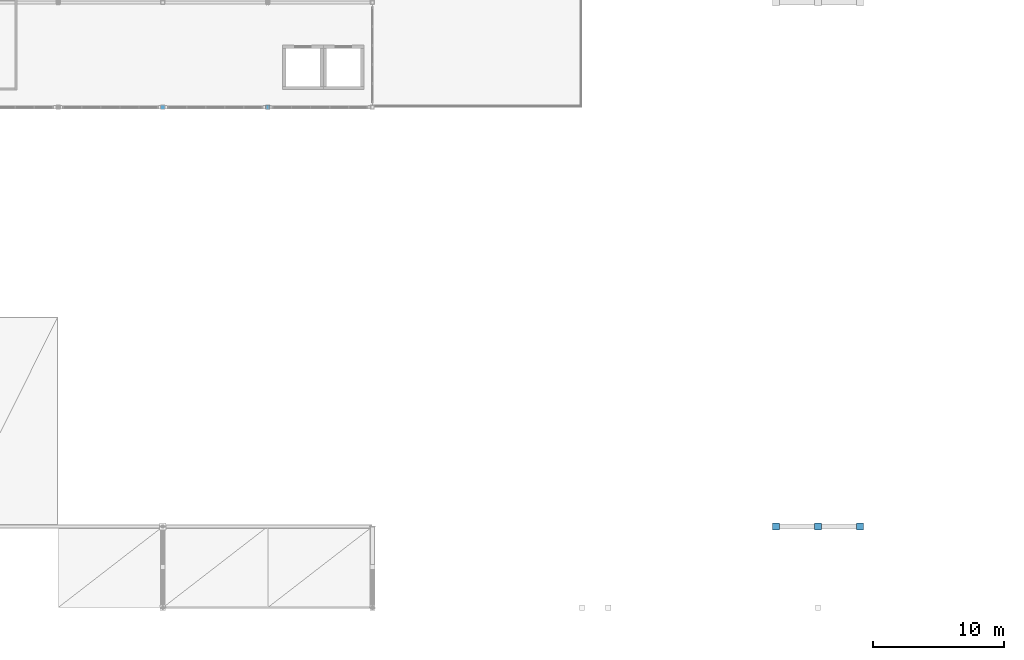
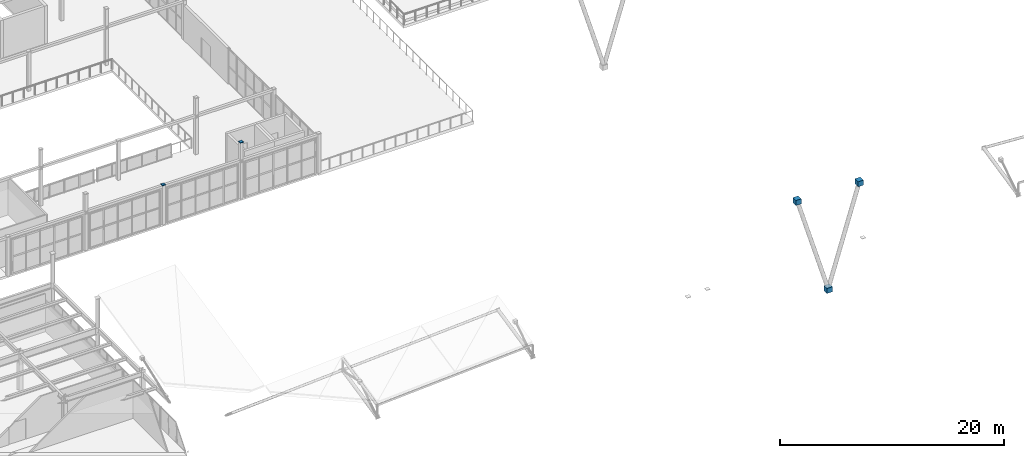
# One storey, part 63 of 83: 5 discrete accessories.
"""IFC4 building model written with IfcOpenShell, lengths in metres."""

from ifc_helpers import new_model, si_unit, direction, frame, origin, origin_2d, place, context, subcontext, project, spatial, rectangle, extrude, material, type_object, element, save


model = new_model("IFC4")

# Units and contexts
model_context = context("Model", 3, precision=1e-05, world=origin(), true_north=direction((0.0, 1.0)))
body_context = subcontext(model_context, "Body", "Model", "MODEL_VIEW")
ifc_project = project(units=[si_unit("LENGTHUNIT", "METRE"), si_unit("AREAUNIT", "SQUARE_METRE"), si_unit("VOLUMEUNIT", "CUBIC_METRE"), si_unit("PLANEANGLEUNIT", "RADIAN"), si_unit("MASSUNIT", "GRAM", prefix="KILO")], contexts=[model_context])

# Site, building, storey
site_placement = place(None, origin())
site = spatial("IfcSite", under=ifc_project, at=site_placement, CompositionType="ELEMENT")
building_placement = place(site_placement, origin())
building = spatial("IfcBuilding", under=site, at=building_placement, Name="Drelvath Fold Interchange", CompositionType="ELEMENT")
storey_placement = place(building_placement, frame((0.0, 0.0, 11.199951171875)))
storey = spatial("IfcBuildingStorey", under=building, at=storey_placement, Name="L02", CompositionType="ELEMENT", Elevation=11.199951171875)

# Discrete accessories
ifc_material = material(Name="Steel ASTM A572 Grade 50", Category="steel")
discrete_accessory_type = type_object("IfcDiscreteAccessoryType", Name="AC-CAP380", PredefinedType="BRACKET", material=ifc_material)
for number, where, z_axis, x_axis, name in (
    (1, (68.0, 59.0, 4.2900390625), (0.0, 0.0, 1.0), (1.0, 0.0, 0.0), "Welded hollow column end cap 77"),
    (2, (76.0, 59.0, 6.14013671875), (0.0, 0.0, 1.0), (1.0, 0.0, 0.0), "Welded hollow column end cap 82"),
):
    element("IfcDiscreteAccessory", number, at=place(storey_placement, frame(where, z_axis=z_axis, x_axis=x_axis)), inside=storey, type_object=discrete_accessory_type, Name=name, PredefinedType="BRACKET", context=body_context, shape_type="SweptSolid", body=[
        extrude(rectangle(XDim=0.344970703125, YDim=0.344970703125, at=origin_2d()), origin(), (0.0, 0.0, 1.0), 0.030029296875),
    ])
for number, where, z_axis, x_axis, name in (
    (3, (118.0009765625, 27.0, -5.427978515625), (0.0, 0.0, 1.0), (1.0, 0.0, 0.0), "Welded hollow member end cap 560"),
    (4, (114.799072265625, 27.0, 5.26904296875), (0.0, 0.0, 1.0), (1.0, 0.0, 0.0), "Welded hollow member end cap 561"),
    (5, (121.200927734375, 27.0, 5.0771484375), (0.0, 0.0, 1.0), (1.0, 0.0, 0.0), "Welded hollow member end cap 562"),
):
    element("IfcDiscreteAccessory", number, at=place(storey_placement, frame(where, z_axis=z_axis, x_axis=x_axis)), inside=storey, type_object=discrete_accessory_type, Name=name, PredefinedType="BRACKET", context=body_context, shape_type="SweptSolid", body=[
        extrude(rectangle(XDim=0.5458984375, YDim=0.5458984375, at=origin_2d()), origin(), (0.0, 0.0, 1.0), 0.5458984375),
    ])

save(model, "model.ifc")
